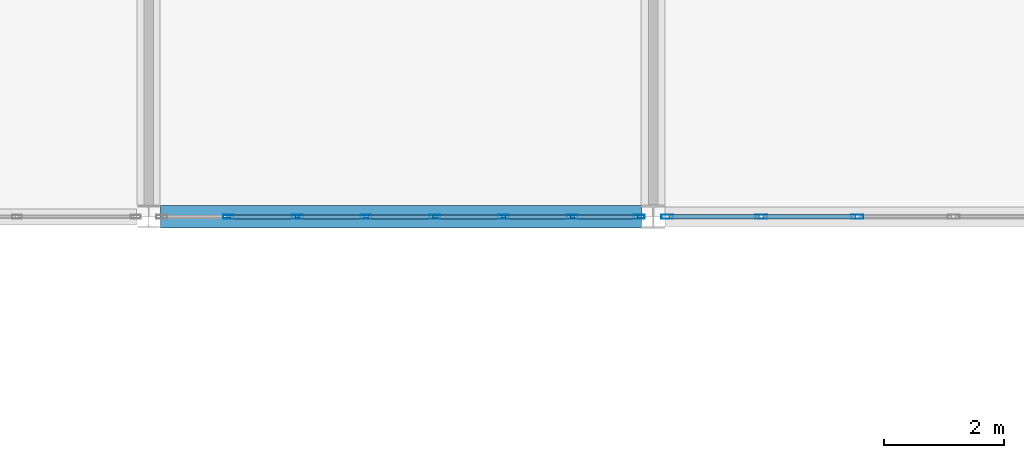
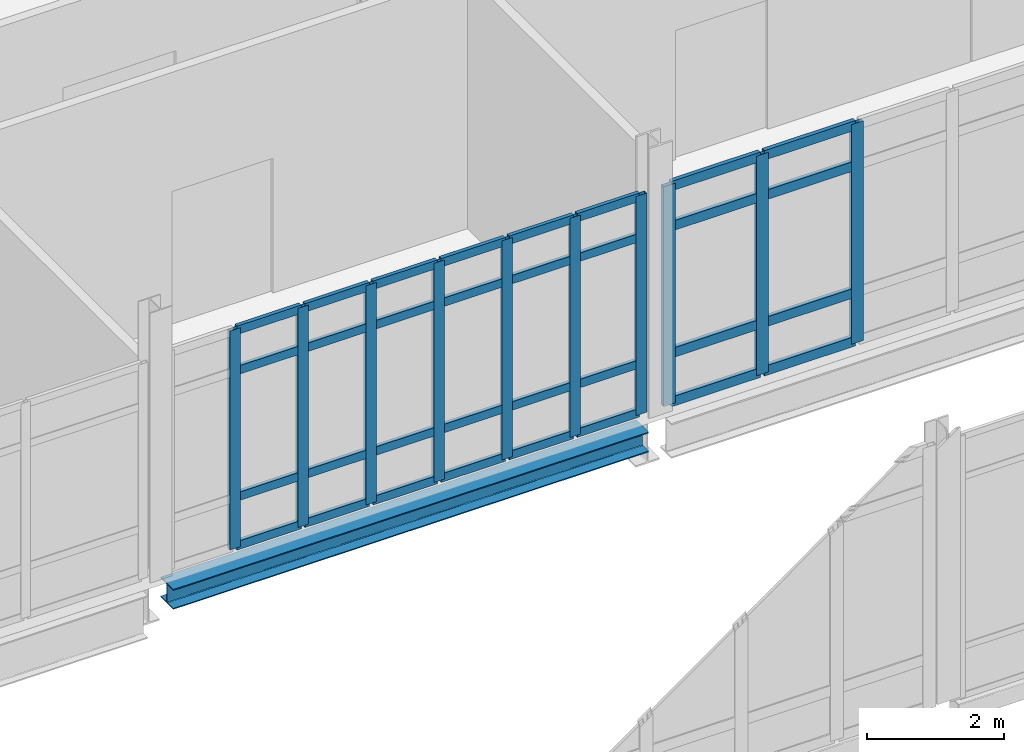
# One storey, part 26 of 186: 42 members, 1 beam, 2 elements without a shape of their own.
"""IFC4 building model written with IfcOpenShell, lengths in metres."""

from ifc_helpers import new_model, si_unit, direction, frame, origin, origin_2d, place, context, subcontext, project, spatial, hollow_rectangle, i_section, extrude, material, layer, layer_set, material_profile, profile_set, type_object, element, aggregate, save


model = new_model("IFC4")

# Units and contexts
model_context = context("Model", 3, precision=1e-05, world=origin(), true_north=direction((0.0, 1.0)))
body_context = subcontext(model_context, "Body", "Model", "MODEL_VIEW")
ifc_project = project(units=[si_unit("LENGTHUNIT", "METRE"), si_unit("AREAUNIT", "SQUARE_METRE"), si_unit("VOLUMEUNIT", "CUBIC_METRE"), si_unit("PLANEANGLEUNIT", "RADIAN"), si_unit("MASSUNIT", "GRAM", prefix="KILO")], contexts=[model_context])

# Site, building, storey
site_placement = place(None, origin())
site = spatial("IfcSite", under=ifc_project, at=site_placement, CompositionType="ELEMENT")
building_placement = place(site_placement, origin())
building = spatial("IfcBuilding", under=site, at=building_placement, Name="Calvrana Isthmian Art Gallery", CompositionType="ELEMENT")
storey_placement = place(building_placement, frame((0.0, 0.0, 5.39990234375)))
storey = spatial("IfcBuildingStorey", under=building, at=storey_placement, Name="L01", CompositionType="ELEMENT", Elevation=5.39990234375)

# Beam
ifc_material_1 = material(Name="Steel ASTM A992 Gr 50", Category="steel")
ifc_material_profile_1 = material_profile(ifc_material_1, i_section(OverallWidth=0.367919921875, OverallDepth=0.35595703125, WebThickness=0.01123046875, FlangeThickness=0.01806640625, FilletRadius=0.02490234375, at=origin_2d()), Name="W14X90")
ifc_profile_set_1 = profile_set([ifc_material_profile_1], Name="Steel ASTM A992 Gr 50")
beam_type = type_object("IfcBeamType", Name="BM-SP-W14X90", PredefinedType="SPANDREL", material=ifc_profile_set_1)
beam_placement = place(storey_placement, frame((46.99951171875, 30.0, -0.4228515625), z_axis=(1.0, 0.0, 0.0), x_axis=(0.0, 1.0, 0.0)))
element("IfcBeam", 1, at=beam_placement, inside=storey, type_object=beam_type, Name="Girder X L01 07-08/E", PredefinedType="SPANDREL", context=body_context, shape_type="SweptSolid", body=[
    extrude(i_section(OverallWidth=0.367919921875, OverallDepth=0.35595703125, WebThickness=0.01123046875, FlangeThickness=0.01806640625, FilletRadius=0.02490234375, at=origin_2d()), origin(), (0.0, 0.0, 1.0), 8.00244140625),
])

# Curtain wall, members
ifc_material_2 = material(Name="Anodized bronze aluminium 6063-T6", Category="aluminium")
ifc_layer = layer(ifc_material_2, 0.179931640625, Name="Anodized bronze aluminium 6063-T6")
ifc_layer_set = layer_set([ifc_layer], Name="Anodized bronze aluminium 6063-T6")
curtain_wall_type = type_object("IfcCurtainWallType", Name="CW-STICK-080X39", PredefinedType="NOTDEFINED", material=ifc_layer_set)
curtain_wall_1_placement = place(storey_placement, origin())
curtain_wall_1 = element("IfcCurtainWall", 2, at=curtain_wall_1_placement, inside=storey, type_object=curtain_wall_type, Name="Curtain wall CW-092", PredefinedType="NOTDEFINED")
ifc_material_profile_2 = material_profile(ifc_material_2, hollow_rectangle(XDim=0.06494140625, YDim=0.179931640625, WallThickness=0.00439453125, at=origin_2d()), Name="CWM65X180")
ifc_profile_set_2 = profile_set([ifc_material_profile_2], Name="Anodized bronze aluminium 6063-T6")
member_type_1 = type_object("IfcMemberType", Name="CWM-CWM65X180", PredefinedType="MULLION", material=ifc_profile_set_2)
member_1_placement = place(storey_placement, frame((54.968017578125, 30.0, 0.0), z_axis=(0.0, 0.0, 1.0), x_axis=(0.0, -1.0, 0.0)))
member_1 = element("IfcMember", 3, at=member_1_placement, type_object=member_type_1, Name="CW-092 mullion 1", PredefinedType="MULLION", context=body_context, shape_type="SweptSolid", body=[
    extrude(hollow_rectangle(XDim=0.06494140625, YDim=0.179931640625, WallThickness=0.00439453125, at=origin_2d()), origin(), (0.0, 0.0, 1.0), 3.898193359375),
])
member_2_placement = place(storey_placement, frame((53.855224609375, 30.0, 0.0), z_axis=(0.0, 0.0, 1.0), x_axis=(0.0, -1.0, 0.0)))
member_2 = element("IfcMember", 4, at=member_2_placement, type_object=member_type_1, Name="CW-092 mullion 2", PredefinedType="MULLION", context=body_context, shape_type="SweptSolid", body=[
    extrude(hollow_rectangle(XDim=0.06494140625, YDim=0.179931640625, WallThickness=0.00439453125, at=origin_2d()), origin(), (0.0, 0.0, 1.0), 3.898193359375),
])
member_3_placement = place(storey_placement, frame((52.7099609375, 30.0, 0.0), z_axis=(0.0, 0.0, 1.0), x_axis=(0.0, -1.0, 0.0)))
member_3 = element("IfcMember", 5, at=member_3_placement, type_object=member_type_1, Name="CW-092 mullion 3", PredefinedType="MULLION", context=body_context, shape_type="SweptSolid", body=[
    extrude(hollow_rectangle(XDim=0.06494140625, YDim=0.179931640625, WallThickness=0.00439453125, at=origin_2d()), origin(), (0.0, 0.0, 1.0), 3.898193359375),
])
member_4_placement = place(storey_placement, frame((51.56494140625, 30.0, 0.0), z_axis=(0.0, 0.0, 1.0), x_axis=(0.0, -1.0, 0.0)))
member_4 = element("IfcMember", 6, at=member_4_placement, type_object=member_type_1, Name="CW-092 mullion 4", PredefinedType="MULLION", context=body_context, shape_type="SweptSolid", body=[
    extrude(hollow_rectangle(XDim=0.06494140625, YDim=0.179931640625, WallThickness=0.00439453125, at=origin_2d()), origin(), (0.0, 0.0, 1.0), 3.898193359375),
])
member_5_placement = place(storey_placement, frame((50.419677734375, 30.0, 0.0), z_axis=(0.0, 0.0, 1.0), x_axis=(0.0, -1.0, 0.0)))
member_5 = element("IfcMember", 7, at=member_5_placement, type_object=member_type_1, Name="CW-092 mullion 5", PredefinedType="MULLION", context=body_context, shape_type="SweptSolid", body=[
    extrude(hollow_rectangle(XDim=0.06494140625, YDim=0.179931640625, WallThickness=0.00439453125, at=origin_2d()), origin(), (0.0, 0.0, 1.0), 3.898193359375),
])
member_6_placement = place(storey_placement, frame((49.2744140625, 30.0, 0.0), z_axis=(0.0, 0.0, 1.0), x_axis=(0.0, -1.0, 0.0)))
member_6 = element("IfcMember", 8, at=member_6_placement, type_object=member_type_1, Name="CW-092 mullion 6", PredefinedType="MULLION", context=body_context, shape_type="SweptSolid", body=[
    extrude(hollow_rectangle(XDim=0.06494140625, YDim=0.179931640625, WallThickness=0.00439453125, at=origin_2d()), origin(), (0.0, 0.0, 1.0), 3.898193359375),
])
member_7_placement = place(storey_placement, frame((48.129150390625, 30.0, 0.0), z_axis=(0.0, 0.0, 1.0), x_axis=(0.0, -1.0, 0.0)))
member_7 = element("IfcMember", 9, at=member_7_placement, type_object=member_type_1, Name="CW-092 mullion 7", PredefinedType="MULLION", context=body_context, shape_type="SweptSolid", body=[
    extrude(hollow_rectangle(XDim=0.06494140625, YDim=0.179931640625, WallThickness=0.00439453125, at=origin_2d()), origin(), (0.0, 0.0, 1.0), 3.898193359375),
])

curtain_wall_2_placement = place(storey_placement, origin())
curtain_wall_2 = element("IfcCurtainWall", 10, at=curtain_wall_2_placement, inside=storey, type_object=curtain_wall_type, Name="Curtain wall CW-093", PredefinedType="NOTDEFINED")
ifc_material_profile_3 = material_profile(ifc_material_2, hollow_rectangle(XDim=0.070068359375, YDim=0.199951171875, WallThickness=0.0048828125, at=origin_2d()), Name="CWM70X200")
ifc_profile_set_3 = profile_set([ifc_material_profile_3], Name="Anodized bronze aluminium 6063-T6")
member_type_2 = type_object("IfcMemberType", Name="CWM-CWM70X200", PredefinedType="MULLION", material=ifc_profile_set_3)
member_8_placement = place(storey_placement, frame((58.6005859375, 30.0, 0.0), z_axis=(0.0, 0.0, 1.0), x_axis=(0.0, -1.0, 0.0)))
member_8 = element("IfcMember", 11, at=member_8_placement, type_object=member_type_2, Name="CW-093 mullion 4", PredefinedType="MULLION", context=body_context, shape_type="SweptSolid", body=[
    extrude(hollow_rectangle(XDim=0.070068359375, YDim=0.199951171875, WallThickness=0.0048828125, at=origin_2d()), origin(), (0.0, 0.0, 1.0), 3.908203125),
])
member_9_placement = place(storey_placement, frame((57.0, 30.0, 0.0), z_axis=(0.0, 0.0, 1.0), x_axis=(0.0, -1.0, 0.0)))
member_9 = element("IfcMember", 12, at=member_9_placement, type_object=member_type_2, Name="CW-093 mullion 5", PredefinedType="MULLION", context=body_context, shape_type="SweptSolid", body=[
    extrude(hollow_rectangle(XDim=0.070068359375, YDim=0.199951171875, WallThickness=0.0048828125, at=origin_2d()), origin(), (0.0, 0.0, 1.0), 3.908203125),
])
member_10_placement = place(storey_placement, frame((55.4345703125, 30.0, 0.0), z_axis=(0.0, 0.0, 1.0), x_axis=(0.0, -1.0, 0.0)))
member_10 = element("IfcMember", 13, at=member_10_placement, type_object=member_type_2, Name="CW-093 mullion 6", PredefinedType="MULLION", context=body_context, shape_type="SweptSolid", body=[
    extrude(hollow_rectangle(XDim=0.070068359375, YDim=0.199951171875, WallThickness=0.0048828125, at=origin_2d()), origin(), (0.0, 0.0, 1.0), 3.908203125),
])

# Member
ifc_material_profile_4 = material_profile(ifc_material_2, hollow_rectangle(XDim=0.06494140625, YDim=0.14990234375, WallThickness=0.00390625, at=origin_2d()), Name="CWT65X150")
ifc_profile_set_4 = profile_set([ifc_material_profile_4], Name="Anodized bronze aluminium 6063-T6")
member_type_3 = type_object("IfcMemberType", Name="CWT-CWT65X150", PredefinedType="USERDEFINED", material=ifc_profile_set_4)
member_11_placement = place(storey_placement, frame((54.935546875, 30.0, 0.03271484375), z_axis=(-1.0, 0.0, 0.0), x_axis=(0.0, -1.0, 0.0)))
member_11 = element("IfcMember", 14, at=member_11_placement, type_object=member_type_3, Name="CW-092 transom 1.1", ObjectType="TRANSOM", PredefinedType="USERDEFINED", context=body_context, shape_type="SweptSolid", body=[
    extrude(hollow_rectangle(XDim=0.06494140625, YDim=0.14990234375, WallThickness=0.00390625, at=origin_2d()), origin(), (0.0, 0.0, 1.0), 1.0478515625),
])

member_12_placement = place(storey_placement, frame((54.935546875, 30.0, 0.900146484375), z_axis=(-1.0, 0.0, 0.0), x_axis=(0.0, -1.0, 0.0)))
member_12 = element("IfcMember", 15, at=member_12_placement, type_object=member_type_3, Name="CW-092 transom 1.2", ObjectType="TRANSOM", PredefinedType="USERDEFINED", context=body_context, shape_type="SweptSolid", body=[
    extrude(hollow_rectangle(XDim=0.06494140625, YDim=0.14990234375, WallThickness=0.00390625, at=origin_2d()), origin(), (0.0, 0.0, 1.0), 1.0478515625),
])

member_13_placement = place(storey_placement, frame((54.935546875, 30.0, 3.148193359375), z_axis=(-1.0, 0.0, 0.0), x_axis=(0.0, -1.0, 0.0)))
member_13 = element("IfcMember", 16, at=member_13_placement, type_object=member_type_3, Name="CW-092 transom 1.3", ObjectType="TRANSOM", PredefinedType="USERDEFINED", context=body_context, shape_type="SweptSolid", body=[
    extrude(hollow_rectangle(XDim=0.06494140625, YDim=0.14990234375, WallThickness=0.00390625, at=origin_2d()), origin(), (0.0, 0.0, 1.0), 1.0478515625),
])

member_14_placement = place(storey_placement, frame((54.935546875, 30.0, 3.865478515625), z_axis=(-1.0, 0.0, 0.0), x_axis=(0.0, -1.0, 0.0)))
member_14 = element("IfcMember", 17, at=member_14_placement, type_object=member_type_3, Name="CW-092 transom 1.4", ObjectType="TRANSOM", PredefinedType="USERDEFINED", context=body_context, shape_type="SweptSolid", body=[
    extrude(hollow_rectangle(XDim=0.06494140625, YDim=0.14990234375, WallThickness=0.00390625, at=origin_2d()), origin(), (0.0, 0.0, 1.0), 1.0478515625),
])

member_15_placement = place(storey_placement, frame((53.82275390625, 30.0, 0.03271484375), z_axis=(-1.0, 0.0, 0.0), x_axis=(0.0, -1.0, 0.0)))
member_15 = element("IfcMember", 18, at=member_15_placement, type_object=member_type_3, Name="CW-092 transom 2.1", ObjectType="TRANSOM", PredefinedType="USERDEFINED", context=body_context, shape_type="SweptSolid", body=[
    extrude(hollow_rectangle(XDim=0.06494140625, YDim=0.14990234375, WallThickness=0.00390625, at=origin_2d()), origin(), (0.0, 0.0, 1.0), 1.080078125),
])

member_16_placement = place(storey_placement, frame((53.82275390625, 30.0, 0.900146484375), z_axis=(-1.0, 0.0, 0.0), x_axis=(0.0, -1.0, 0.0)))
member_16 = element("IfcMember", 19, at=member_16_placement, type_object=member_type_3, Name="CW-092 transom 2.2", ObjectType="TRANSOM", PredefinedType="USERDEFINED", context=body_context, shape_type="SweptSolid", body=[
    extrude(hollow_rectangle(XDim=0.06494140625, YDim=0.14990234375, WallThickness=0.00390625, at=origin_2d()), origin(), (0.0, 0.0, 1.0), 1.080078125),
])

member_17_placement = place(storey_placement, frame((53.82275390625, 30.0, 3.148193359375), z_axis=(-1.0, 0.0, 0.0), x_axis=(0.0, -1.0, 0.0)))
member_17 = element("IfcMember", 20, at=member_17_placement, type_object=member_type_3, Name="CW-092 transom 2.3", ObjectType="TRANSOM", PredefinedType="USERDEFINED", context=body_context, shape_type="SweptSolid", body=[
    extrude(hollow_rectangle(XDim=0.06494140625, YDim=0.14990234375, WallThickness=0.00390625, at=origin_2d()), origin(), (0.0, 0.0, 1.0), 1.080078125),
])

member_18_placement = place(storey_placement, frame((53.82275390625, 30.0, 3.865478515625), z_axis=(-1.0, 0.0, 0.0), x_axis=(0.0, -1.0, 0.0)))
member_18 = element("IfcMember", 21, at=member_18_placement, type_object=member_type_3, Name="CW-092 transom 2.4", ObjectType="TRANSOM", PredefinedType="USERDEFINED", context=body_context, shape_type="SweptSolid", body=[
    extrude(hollow_rectangle(XDim=0.06494140625, YDim=0.14990234375, WallThickness=0.00390625, at=origin_2d()), origin(), (0.0, 0.0, 1.0), 1.080078125),
])

member_19_placement = place(storey_placement, frame((52.677490234375, 30.0, 0.03271484375), z_axis=(-1.0, 0.0, 0.0), x_axis=(0.0, -1.0, 0.0)))
member_19 = element("IfcMember", 22, at=member_19_placement, type_object=member_type_3, Name="CW-092 transom 3.1", ObjectType="TRANSOM", PredefinedType="USERDEFINED", context=body_context, shape_type="SweptSolid", body=[
    extrude(hollow_rectangle(XDim=0.06494140625, YDim=0.14990234375, WallThickness=0.00390625, at=origin_2d()), origin(), (0.0, 0.0, 1.0), 1.080078125),
])

member_20_placement = place(storey_placement, frame((52.677490234375, 30.0, 0.900146484375), z_axis=(-1.0, 0.0, 0.0), x_axis=(0.0, -1.0, 0.0)))
member_20 = element("IfcMember", 23, at=member_20_placement, type_object=member_type_3, Name="CW-092 transom 3.2", ObjectType="TRANSOM", PredefinedType="USERDEFINED", context=body_context, shape_type="SweptSolid", body=[
    extrude(hollow_rectangle(XDim=0.06494140625, YDim=0.14990234375, WallThickness=0.00390625, at=origin_2d()), origin(), (0.0, 0.0, 1.0), 1.080078125),
])

member_21_placement = place(storey_placement, frame((52.677490234375, 30.0, 3.148193359375), z_axis=(-1.0, 0.0, 0.0), x_axis=(0.0, -1.0, 0.0)))
member_21 = element("IfcMember", 24, at=member_21_placement, type_object=member_type_3, Name="CW-092 transom 3.3", ObjectType="TRANSOM", PredefinedType="USERDEFINED", context=body_context, shape_type="SweptSolid", body=[
    extrude(hollow_rectangle(XDim=0.06494140625, YDim=0.14990234375, WallThickness=0.00390625, at=origin_2d()), origin(), (0.0, 0.0, 1.0), 1.080078125),
])

member_22_placement = place(storey_placement, frame((52.677490234375, 30.0, 3.865478515625), z_axis=(-1.0, 0.0, 0.0), x_axis=(0.0, -1.0, 0.0)))
member_22 = element("IfcMember", 25, at=member_22_placement, type_object=member_type_3, Name="CW-092 transom 3.4", ObjectType="TRANSOM", PredefinedType="USERDEFINED", context=body_context, shape_type="SweptSolid", body=[
    extrude(hollow_rectangle(XDim=0.06494140625, YDim=0.14990234375, WallThickness=0.00390625, at=origin_2d()), origin(), (0.0, 0.0, 1.0), 1.080078125),
])

member_23_placement = place(storey_placement, frame((51.532470703125, 30.0, 0.03271484375), z_axis=(-1.0, 0.0, 0.0), x_axis=(0.0, -1.0, 0.0)))
member_23 = element("IfcMember", 26, at=member_23_placement, type_object=member_type_3, Name="CW-092 transom 4.1", ObjectType="TRANSOM", PredefinedType="USERDEFINED", context=body_context, shape_type="SweptSolid", body=[
    extrude(hollow_rectangle(XDim=0.06494140625, YDim=0.14990234375, WallThickness=0.00390625, at=origin_2d()), origin(), (0.0, 0.0, 1.0), 1.080322265625),
])

member_24_placement = place(storey_placement, frame((51.532470703125, 30.0, 0.900146484375), z_axis=(-1.0, 0.0, 0.0), x_axis=(0.0, -1.0, 0.0)))
member_24 = element("IfcMember", 27, at=member_24_placement, type_object=member_type_3, Name="CW-092 transom 4.2", ObjectType="TRANSOM", PredefinedType="USERDEFINED", context=body_context, shape_type="SweptSolid", body=[
    extrude(hollow_rectangle(XDim=0.06494140625, YDim=0.14990234375, WallThickness=0.00390625, at=origin_2d()), origin(), (0.0, 0.0, 1.0), 1.080322265625),
])

member_25_placement = place(storey_placement, frame((51.532470703125, 30.0, 3.148193359375), z_axis=(-1.0, 0.0, 0.0), x_axis=(0.0, -1.0, 0.0)))
member_25 = element("IfcMember", 28, at=member_25_placement, type_object=member_type_3, Name="CW-092 transom 4.3", ObjectType="TRANSOM", PredefinedType="USERDEFINED", context=body_context, shape_type="SweptSolid", body=[
    extrude(hollow_rectangle(XDim=0.06494140625, YDim=0.14990234375, WallThickness=0.00390625, at=origin_2d()), origin(), (0.0, 0.0, 1.0), 1.080322265625),
])

member_26_placement = place(storey_placement, frame((51.532470703125, 30.0, 3.865478515625), z_axis=(-1.0, 0.0, 0.0), x_axis=(0.0, -1.0, 0.0)))
member_26 = element("IfcMember", 29, at=member_26_placement, type_object=member_type_3, Name="CW-092 transom 4.4", ObjectType="TRANSOM", PredefinedType="USERDEFINED", context=body_context, shape_type="SweptSolid", body=[
    extrude(hollow_rectangle(XDim=0.06494140625, YDim=0.14990234375, WallThickness=0.00390625, at=origin_2d()), origin(), (0.0, 0.0, 1.0), 1.080322265625),
])

member_27_placement = place(storey_placement, frame((50.38720703125, 30.0, 0.03271484375), z_axis=(-1.0, 0.0, 0.0), x_axis=(0.0, -1.0, 0.0)))
member_27 = element("IfcMember", 30, at=member_27_placement, type_object=member_type_3, Name="CW-092 transom 5.1", ObjectType="TRANSOM", PredefinedType="USERDEFINED", context=body_context, shape_type="SweptSolid", body=[
    extrude(hollow_rectangle(XDim=0.06494140625, YDim=0.14990234375, WallThickness=0.00390625, at=origin_2d()), origin(), (0.0, 0.0, 1.0), 1.080322265625),
])

member_28_placement = place(storey_placement, frame((50.38720703125, 30.0, 0.900146484375), z_axis=(-1.0, 0.0, 0.0), x_axis=(0.0, -1.0, 0.0)))
member_28 = element("IfcMember", 31, at=member_28_placement, type_object=member_type_3, Name="CW-092 transom 5.2", ObjectType="TRANSOM", PredefinedType="USERDEFINED", context=body_context, shape_type="SweptSolid", body=[
    extrude(hollow_rectangle(XDim=0.06494140625, YDim=0.14990234375, WallThickness=0.00390625, at=origin_2d()), origin(), (0.0, 0.0, 1.0), 1.080322265625),
])

member_29_placement = place(storey_placement, frame((50.38720703125, 30.0, 3.148193359375), z_axis=(-1.0, 0.0, 0.0), x_axis=(0.0, -1.0, 0.0)))
member_29 = element("IfcMember", 32, at=member_29_placement, type_object=member_type_3, Name="CW-092 transom 5.3", ObjectType="TRANSOM", PredefinedType="USERDEFINED", context=body_context, shape_type="SweptSolid", body=[
    extrude(hollow_rectangle(XDim=0.06494140625, YDim=0.14990234375, WallThickness=0.00390625, at=origin_2d()), origin(), (0.0, 0.0, 1.0), 1.080322265625),
])

member_30_placement = place(storey_placement, frame((50.38720703125, 30.0, 3.865478515625), z_axis=(-1.0, 0.0, 0.0), x_axis=(0.0, -1.0, 0.0)))
member_30 = element("IfcMember", 33, at=member_30_placement, type_object=member_type_3, Name="CW-092 transom 5.4", ObjectType="TRANSOM", PredefinedType="USERDEFINED", context=body_context, shape_type="SweptSolid", body=[
    extrude(hollow_rectangle(XDim=0.06494140625, YDim=0.14990234375, WallThickness=0.00390625, at=origin_2d()), origin(), (0.0, 0.0, 1.0), 1.080322265625),
])

member_31_placement = place(storey_placement, frame((49.241943359375, 30.0, 0.03271484375), z_axis=(-1.0, 0.0, 0.0), x_axis=(0.0, -1.0, 0.0)))
member_31 = element("IfcMember", 34, at=member_31_placement, type_object=member_type_3, Name="CW-092 transom 6.1", ObjectType="TRANSOM", PredefinedType="USERDEFINED", context=body_context, shape_type="SweptSolid", body=[
    extrude(hollow_rectangle(XDim=0.06494140625, YDim=0.14990234375, WallThickness=0.00390625, at=origin_2d()), origin(), (0.0, 0.0, 1.0), 1.080322265625),
])

member_32_placement = place(storey_placement, frame((49.241943359375, 30.0, 0.900146484375), z_axis=(-1.0, 0.0, 0.0), x_axis=(0.0, -1.0, 0.0)))
member_32 = element("IfcMember", 35, at=member_32_placement, type_object=member_type_3, Name="CW-092 transom 6.2", ObjectType="TRANSOM", PredefinedType="USERDEFINED", context=body_context, shape_type="SweptSolid", body=[
    extrude(hollow_rectangle(XDim=0.06494140625, YDim=0.14990234375, WallThickness=0.00390625, at=origin_2d()), origin(), (0.0, 0.0, 1.0), 1.080322265625),
])

member_33_placement = place(storey_placement, frame((49.241943359375, 30.0, 3.148193359375), z_axis=(-1.0, 0.0, 0.0), x_axis=(0.0, -1.0, 0.0)))
member_33 = element("IfcMember", 36, at=member_33_placement, type_object=member_type_3, Name="CW-092 transom 6.3", ObjectType="TRANSOM", PredefinedType="USERDEFINED", context=body_context, shape_type="SweptSolid", body=[
    extrude(hollow_rectangle(XDim=0.06494140625, YDim=0.14990234375, WallThickness=0.00390625, at=origin_2d()), origin(), (0.0, 0.0, 1.0), 1.080322265625),
])

member_34_placement = place(storey_placement, frame((49.241943359375, 30.0, 3.865478515625), z_axis=(-1.0, 0.0, 0.0), x_axis=(0.0, -1.0, 0.0)))
member_34 = element("IfcMember", 37, at=member_34_placement, type_object=member_type_3, Name="CW-092 transom 6.4", ObjectType="TRANSOM", PredefinedType="USERDEFINED", context=body_context, shape_type="SweptSolid", body=[
    extrude(hollow_rectangle(XDim=0.06494140625, YDim=0.14990234375, WallThickness=0.00390625, at=origin_2d()), origin(), (0.0, 0.0, 1.0), 1.080322265625),
])

aggregate(curtain_wall_1, [member_1, member_2, member_3, member_4, member_5, member_6, member_7, member_11, member_12, member_13, member_14, member_15, member_16, member_17, member_18, member_19, member_20, member_21, member_22, member_23, member_24, member_25, member_26, member_27, member_28, member_29, member_30, member_31, member_32, member_33, member_34])

ifc_material_profile_5 = material_profile(ifc_material_2, hollow_rectangle(XDim=0.070068359375, YDim=0.169921875, WallThickness=0.00439453125, at=origin_2d()), Name="CWT70X170")
ifc_profile_set_5 = profile_set([ifc_material_profile_5], Name="Anodized bronze aluminium 6063-T6")
member_type_4 = type_object("IfcMemberType", Name="CWT-CWT70X170", PredefinedType="USERDEFINED", material=ifc_profile_set_5)
member_35_placement = place(storey_placement, frame((58.5654296875, 30.0, 0.03515625), z_axis=(-1.0, 0.0, 0.0), x_axis=(0.0, -1.0, 0.0)))
member_35 = element("IfcMember", 38, at=member_35_placement, type_object=member_type_4, Name="CW-093 transom 4.1", ObjectType="TRANSOM", PredefinedType="USERDEFINED", context=body_context, shape_type="SweptSolid", body=[
    extrude(hollow_rectangle(XDim=0.070068359375, YDim=0.169921875, WallThickness=0.00439453125, at=origin_2d()), origin(), (0.0, 0.0, 1.0), 1.530517578125),
])

member_36_placement = place(storey_placement, frame((58.5654296875, 30.0, 0.900146484375), z_axis=(-1.0, 0.0, 0.0), x_axis=(0.0, -1.0, 0.0)))
member_36 = element("IfcMember", 39, at=member_36_placement, type_object=member_type_4, Name="CW-093 transom 4.2", ObjectType="TRANSOM", PredefinedType="USERDEFINED", context=body_context, shape_type="SweptSolid", body=[
    extrude(hollow_rectangle(XDim=0.070068359375, YDim=0.169921875, WallThickness=0.00439453125, at=origin_2d()), origin(), (0.0, 0.0, 1.0), 1.530517578125),
])

member_37_placement = place(storey_placement, frame((58.5654296875, 30.0, 3.158203125), z_axis=(-1.0, 0.0, 0.0), x_axis=(0.0, -1.0, 0.0)))
member_37 = element("IfcMember", 40, at=member_37_placement, type_object=member_type_4, Name="CW-093 transom 4.3", ObjectType="TRANSOM", PredefinedType="USERDEFINED", context=body_context, shape_type="SweptSolid", body=[
    extrude(hollow_rectangle(XDim=0.070068359375, YDim=0.169921875, WallThickness=0.00439453125, at=origin_2d()), origin(), (0.0, 0.0, 1.0), 1.530517578125),
])

member_38_placement = place(storey_placement, frame((58.5654296875, 30.0, 3.873046875), z_axis=(-1.0, 0.0, 0.0), x_axis=(0.0, -1.0, 0.0)))
member_38 = element("IfcMember", 41, at=member_38_placement, type_object=member_type_4, Name="CW-093 transom 4.4", ObjectType="TRANSOM", PredefinedType="USERDEFINED", context=body_context, shape_type="SweptSolid", body=[
    extrude(hollow_rectangle(XDim=0.070068359375, YDim=0.169921875, WallThickness=0.00439453125, at=origin_2d()), origin(), (0.0, 0.0, 1.0), 1.530517578125),
])

member_39_placement = place(storey_placement, frame((56.965087890625, 30.0, 0.03515625), z_axis=(-1.0, 0.0, 0.0), x_axis=(0.0, -1.0, 0.0)))
member_39 = element("IfcMember", 42, at=member_39_placement, type_object=member_type_4, Name="CW-093 transom 5.1", ObjectType="TRANSOM", PredefinedType="USERDEFINED", context=body_context, shape_type="SweptSolid", body=[
    extrude(hollow_rectangle(XDim=0.070068359375, YDim=0.169921875, WallThickness=0.00439453125, at=origin_2d()), origin(), (0.0, 0.0, 1.0), 1.49560546875),
])

member_40_placement = place(storey_placement, frame((56.965087890625, 30.0, 0.900146484375), z_axis=(-1.0, 0.0, 0.0), x_axis=(0.0, -1.0, 0.0)))
member_40 = element("IfcMember", 43, at=member_40_placement, type_object=member_type_4, Name="CW-093 transom 5.2", ObjectType="TRANSOM", PredefinedType="USERDEFINED", context=body_context, shape_type="SweptSolid", body=[
    extrude(hollow_rectangle(XDim=0.070068359375, YDim=0.169921875, WallThickness=0.00439453125, at=origin_2d()), origin(), (0.0, 0.0, 1.0), 1.49560546875),
])

member_41_placement = place(storey_placement, frame((56.965087890625, 30.0, 3.158203125), z_axis=(-1.0, 0.0, 0.0), x_axis=(0.0, -1.0, 0.0)))
member_41 = element("IfcMember", 44, at=member_41_placement, type_object=member_type_4, Name="CW-093 transom 5.3", ObjectType="TRANSOM", PredefinedType="USERDEFINED", context=body_context, shape_type="SweptSolid", body=[
    extrude(hollow_rectangle(XDim=0.070068359375, YDim=0.169921875, WallThickness=0.00439453125, at=origin_2d()), origin(), (0.0, 0.0, 1.0), 1.49560546875),
])

member_42_placement = place(storey_placement, frame((56.965087890625, 30.0, 3.873046875), z_axis=(-1.0, 0.0, 0.0), x_axis=(0.0, -1.0, 0.0)))
member_42 = element("IfcMember", 45, at=member_42_placement, type_object=member_type_4, Name="CW-093 transom 5.4", ObjectType="TRANSOM", PredefinedType="USERDEFINED", context=body_context, shape_type="SweptSolid", body=[
    extrude(hollow_rectangle(XDim=0.070068359375, YDim=0.169921875, WallThickness=0.00439453125, at=origin_2d()), origin(), (0.0, 0.0, 1.0), 1.49560546875),
])

aggregate(curtain_wall_2, [member_8, member_9, member_10, member_35, member_36, member_37, member_38, member_39, member_40, member_41, member_42])

save(model, "model.ifc")
